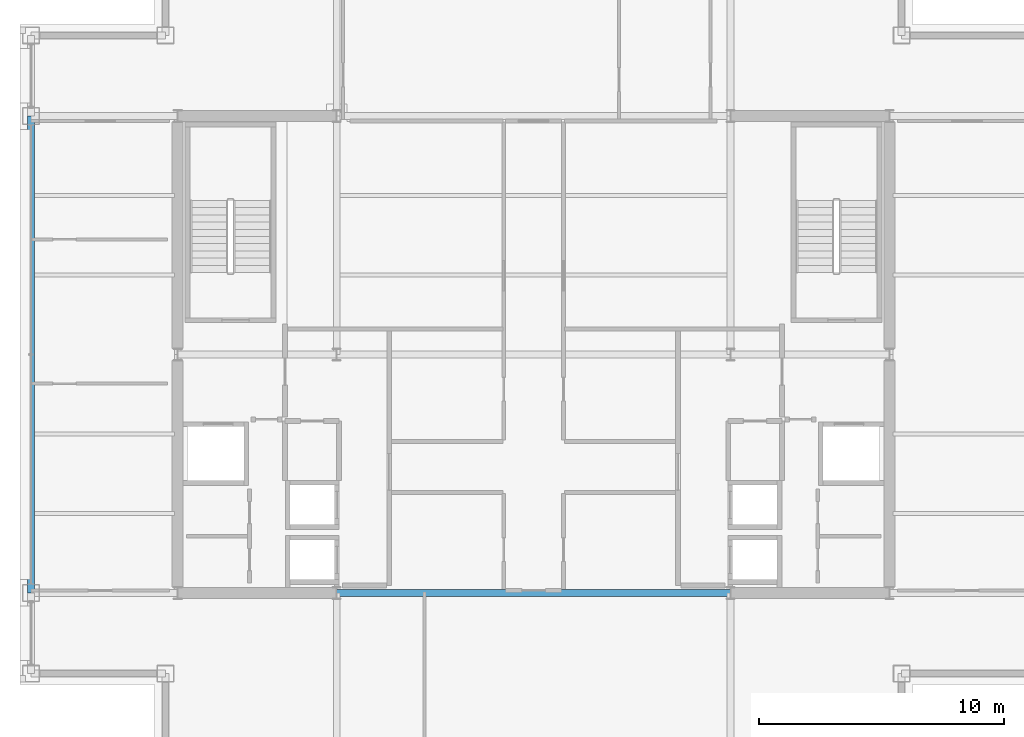
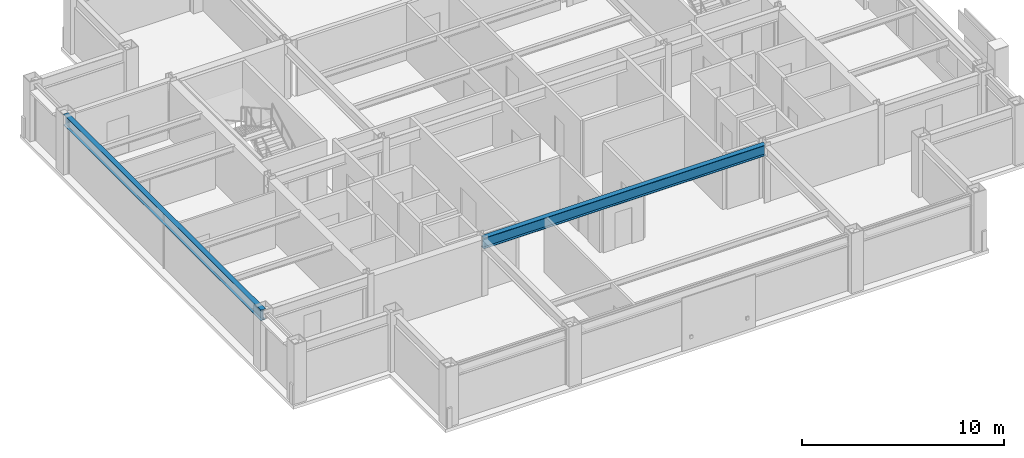
# One storey, part 7 of 30: 2 beams.
"""IFC4 building model written with IfcOpenShell, lengths in metres."""

from ifc_helpers import new_model, si_unit, direction, frame, origin, origin_2d, place, context, subcontext, project, spatial, i_section, extrude, material, material_profile, profile_set, type_object, element, save


model = new_model("IFC4")

# Units and contexts
model_context = context("Model", 3, precision=1e-05, world=origin(), true_north=direction((0.0, 1.0)))
body_context = subcontext(model_context, "Body", "Model", "MODEL_VIEW")
ifc_project = project(units=[si_unit("LENGTHUNIT", "METRE"), si_unit("AREAUNIT", "SQUARE_METRE"), si_unit("VOLUMEUNIT", "CUBIC_METRE"), si_unit("PLANEANGLEUNIT", "RADIAN"), si_unit("MASSUNIT", "GRAM", prefix="KILO")], contexts=[model_context])

# Site, building, storey
site_placement = place(None, origin())
site = spatial("IfcSite", under=ifc_project, at=site_placement, CompositionType="ELEMENT")
building_placement = place(site_placement, origin())
building = spatial("IfcBuilding", under=site, at=building_placement, Name="Brelmoor Portico Tower", CompositionType="ELEMENT")
storey_placement = place(building_placement, frame((0.0, 0.0, 187.5)))
storey = spatial("IfcBuildingStorey", under=building, at=storey_placement, Name="L49", CompositionType="ELEMENT", Elevation=187.5)

# Beams
ifc_material = material(Name="Steel Q355B", Category="steel")
ifc_material_profile_1 = material_profile(ifc_material, i_section(OverallWidth=0.280029296875, OverallDepth=0.64990234375, WebThickness=0.012939453125, FlangeThickness=0.02197265625, at=origin_2d()), Name="HN 650x280x13x22")
ifc_profile_set_1 = profile_set([ifc_material_profile_1], Name="Steel Q355B")
beam_type_1 = type_object("IfcBeamType", Name="BM-PG-650", PredefinedType="BEAM", material=ifc_profile_set_1)
beam_1_placement = place(storey_placement, frame((-8.050048828125, -9.75, 3.074951171875), z_axis=(1.0, 0.0, 0.0), x_axis=(0.0, 1.0, 0.0)))
element("IfcBeam", 1, at=beam_1_placement, inside=storey, type_object=beam_type_1, Name="L49 Primary Floor Girder PG-13", PredefinedType="BEAM", context=body_context, shape_type="SweptSolid", body=[
    extrude(i_section(OverallWidth=0.280029296875, OverallDepth=0.64990234375, WebThickness=0.012939453125, FlangeThickness=0.02197265625, at=origin_2d()), origin(), (0.0, 0.0, 1.0), 16.10009765625),
])
ifc_material_profile_2 = material_profile(ifc_material, i_section(OverallWidth=0.280029296875, OverallDepth=0.64990234375, WebThickness=0.012939453125, FlangeThickness=0.02197265625, at=origin_2d()), Name="HN 650x280x13x22")
ifc_profile_set_2 = profile_set([ifc_material_profile_2], Name="Steel Q355B")
beam_type_2 = type_object("IfcBeamType", Name="BM-SP-650", PredefinedType="SPANDREL", material=ifc_profile_set_2)
beam_2_placement = place(storey_placement, frame((-20.550048828125, -9.75, 3.074951171875), z_axis=(0.0, 1.0, 0.0), x_axis=(-1.0, 0.0, 0.0)))
element("IfcBeam", 2, at=beam_2_placement, inside=storey, type_object=beam_type_2, Name="L49 Perimeter Spandrel Beam SP-12", PredefinedType="SPANDREL", context=body_context, shape_type="SweptSolid", body=[
    extrude(i_section(OverallWidth=0.280029296875, OverallDepth=0.64990234375, WebThickness=0.012939453125, FlangeThickness=0.02197265625, at=origin_2d()), origin(), (0.0, 0.0, 1.0), 19.5),
])

save(model, "model.ifc")
